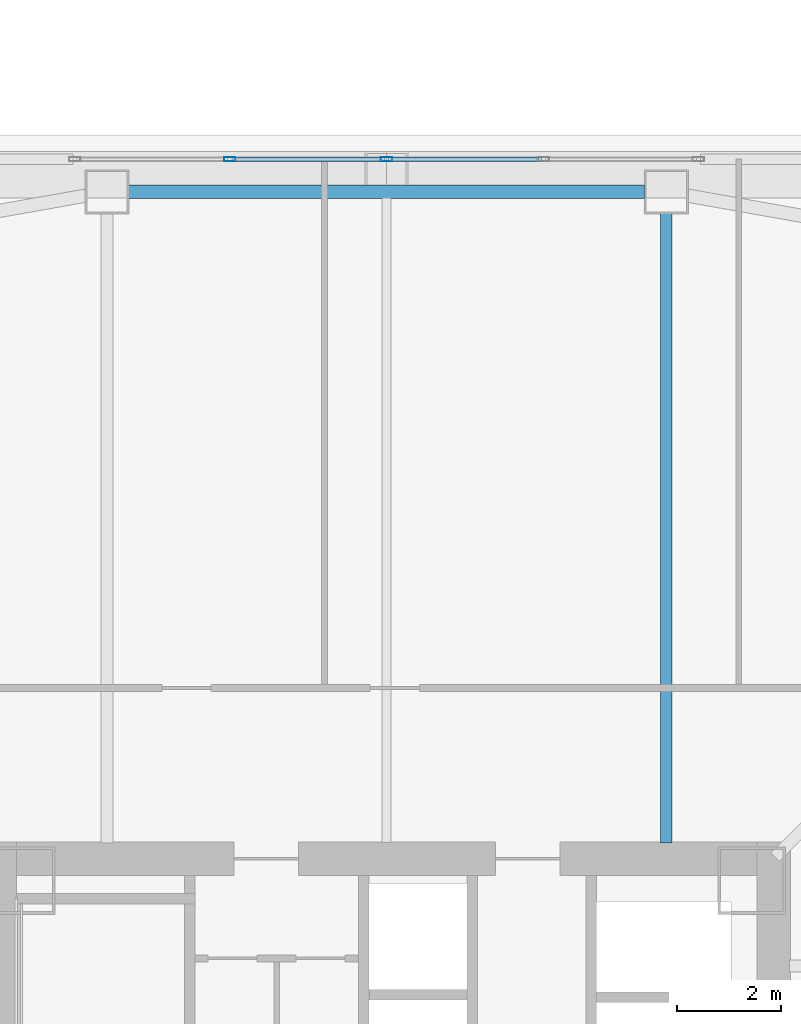
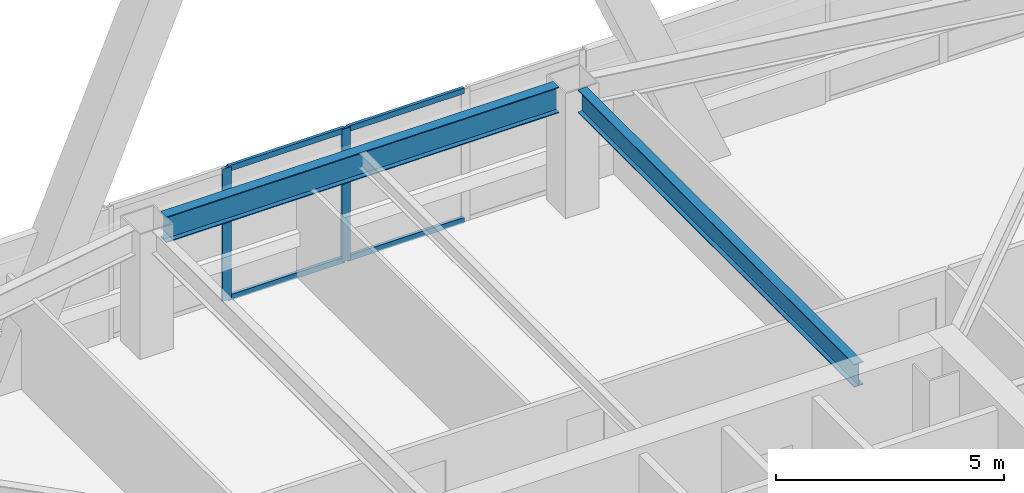
# One storey, part 18 of 54: 6 members, 2 beams, 1 element without a shape of its own.
"""IFC4 building model written with IfcOpenShell, lengths in metres."""

from ifc_helpers import new_model, si_unit, direction, frame, origin, origin_2d, place, context, subcontext, project, spatial, hollow_rectangle, i_section, extrude, material, material_profile, profile_set, type_object, element, aggregate, save


model = new_model("IFC4")

# Units and contexts
model_context = context("Model", 3, precision=1e-05, world=origin(), true_north=direction((0.0, 1.0)))
body_context = subcontext(model_context, "Body", "Model", "MODEL_VIEW")
ifc_project = project(units=[si_unit("LENGTHUNIT", "METRE"), si_unit("AREAUNIT", "SQUARE_METRE"), si_unit("VOLUMEUNIT", "CUBIC_METRE"), si_unit("PLANEANGLEUNIT", "RADIAN"), si_unit("MASSUNIT", "GRAM", prefix="KILO")], contexts=[model_context])

# Site, building, storey
site_placement = place(None, origin())
site = spatial("IfcSite", under=ifc_project, at=site_placement, CompositionType="ELEMENT")
building_placement = place(site_placement, origin())
building = spatial("IfcBuilding", under=site, at=building_placement, Name="Tashvorn Skyway Center", CompositionType="ELEMENT")
storey_placement = place(building_placement, frame((0.0, 0.0, 88.5)))
storey = spatial("IfcBuildingStorey", under=building, at=storey_placement, Name="L23", CompositionType="ELEMENT", Elevation=88.5)

# Beams
ifc_material_1 = material(Name="Steel ASTM A992 Grade 50", Category="steel")
ifc_material_profile_1 = material_profile(ifc_material_1, i_section(OverallWidth=0.22998046875, OverallDepth=0.616943359375, WebThickness=0.01318359375, FlangeThickness=0.022216796875, at=origin_2d()), Name="W24X94")
ifc_profile_set_1 = profile_set([ifc_material_profile_1], Name="Steel ASTM A992 Grade 50")
beam_type_1 = type_object("IfcBeamType", Name="BM-BEAM-W24X94", PredefinedType="BEAM", material=ifc_profile_set_1)
beam_1_placement = place(storey_placement, frame((47.39990234375, 51.929931640625, 3.04150390625), z_axis=(0.0, -1.0, 0.0), x_axis=(1.0, 0.0, 0.0)))
element("IfcBeam", 1, at=beam_1_placement, inside=storey, type_object=beam_type_1, Name="Tower 1 L23 Primary Floor Girder FC-N1", PredefinedType="BEAM", context=body_context, shape_type="SweptSolid", body=[
    extrude(i_section(OverallWidth=0.22998046875, OverallDepth=0.616943359375, WebThickness=0.01318359375, FlangeThickness=0.022216796875, at=origin_2d()), origin(), (0.0, 0.0, 1.0), 12.14990234375),
])
ifc_material_profile_2 = material_profile(ifc_material_1, i_section(OverallWidth=0.256103515625, OverallDepth=0.693115234375, WebThickness=0.014404296875, FlangeThickness=0.023681640625, at=origin_2d()), Name="W27X114")
ifc_profile_set_2 = profile_set([ifc_material_profile_2], Name="Steel ASTM A992 Grade 50")
beam_type_2 = type_object("IfcBeamType", Name="BM-SPANDREL-W27X114", PredefinedType="SPANDREL", material=ifc_profile_set_2)
beam_2_placement = place(storey_placement, frame((46.97998046875, 52.35009765625, 3.00341796875), z_axis=(-1.0, 0.0, 0.0), x_axis=(0.0, -1.0, 0.0)))
element("IfcBeam", 2, at=beam_2_placement, inside=storey, type_object=beam_type_2, Name="Tower 1 L23 Spandrel Beam 08", PredefinedType="SPANDREL", context=body_context, shape_type="SweptSolid", body=[
    extrude(i_section(OverallWidth=0.256103515625, OverallDepth=0.693115234375, WebThickness=0.014404296875, FlangeThickness=0.023681640625, at=origin_2d()), origin(), (0.0, 0.0, 1.0), 9.9599609375),
])

# Curtain wall, members
ifc_material_2 = material(Name="Thermally broken bronze-anodized aluminium 6063-T6", Category="aluminium")
curtain_wall_type = type_object("IfcCurtainWallType", Name="CW-CW-Z2", PredefinedType="NOTDEFINED", material=ifc_material_2)
curtain_wall_placement = place(storey_placement, origin())
curtain_wall = element("IfcCurtainWall", 3, at=curtain_wall_placement, inside=storey, type_object=curtain_wall_type, Name="Tower 1 L23 North Unitised Curtain Wall Glazing Group 2", PredefinedType="NOTDEFINED")
ifc_material_profile_3 = material_profile(ifc_material_2, hollow_rectangle(XDim=0.080078125, YDim=0.219970703125, WallThickness=0.0048828125, at=origin_2d()), Name="ALU-MULL-80x220")
ifc_profile_set_3 = profile_set([ifc_material_profile_3], Name="Thermally broken bronze-anodized aluminium 6063-T6")
member_type_1 = type_object("IfcMemberType", Name="CWM-CW-Z2", PredefinedType="MULLION", material=ifc_profile_set_3)
member_1_placement = place(storey_placement, frame((38.969970703125, 52.97998046875, 0.0), z_axis=(0.0, 0.0, 1.0), x_axis=(0.0, 1.0, 0.0)))
member_1 = element("IfcMember", 4, at=member_1_placement, type_object=member_type_1, Name="CW-Z2 mullion 2", PredefinedType="MULLION", context=body_context, shape_type="SweptSolid", body=[
    extrude(hollow_rectangle(XDim=0.080078125, YDim=0.219970703125, WallThickness=0.0048828125, at=origin_2d()), origin(), (0.0, 0.0, 1.0), 3.550048828125),
])
member_2_placement = place(storey_placement, frame((42.0, 52.97998046875, 0.0), z_axis=(0.0, 0.0, 1.0), x_axis=(0.0, 1.0, 0.0)))
member_2 = element("IfcMember", 5, at=member_2_placement, type_object=member_type_1, Name="CW-Z2 mullion 3", PredefinedType="MULLION", context=body_context, shape_type="SweptSolid", body=[
    extrude(hollow_rectangle(XDim=0.080078125, YDim=0.219970703125, WallThickness=0.0048828125, at=origin_2d()), origin(), (0.0, 0.0, 1.0), 3.550048828125),
])
ifc_material_profile_4 = material_profile(ifc_material_2, hollow_rectangle(XDim=0.080078125, YDim=0.14990234375, WallThickness=0.00439453125, at=origin_2d()), Name="ALU-TRAN-80x150")
ifc_profile_set_4 = profile_set([ifc_material_profile_4], Name="Thermally broken bronze-anodized aluminium 6063-T6")
member_type_2 = type_object("IfcMemberType", Name="CWT-CW-Z2", PredefinedType="USERDEFINED", material=ifc_profile_set_4)
member_3_placement = place(storey_placement, frame((39.010009765625, 52.97998046875, 0.0400390625), z_axis=(1.0, 0.0, 0.0), x_axis=(0.0, 1.0, 0.0)))
member_3 = element("IfcMember", 6, at=member_3_placement, type_object=member_type_2, Name="CW-Z2 transom 2.1", ObjectType="TRANSOM", PredefinedType="USERDEFINED", context=body_context, shape_type="SweptSolid", body=[
    extrude(hollow_rectangle(XDim=0.080078125, YDim=0.14990234375, WallThickness=0.00439453125, at=origin_2d()), origin(), (0.0, 0.0, 1.0), 2.949951171875),
])
member_4_placement = place(storey_placement, frame((39.010009765625, 52.97998046875, 3.510009765625), z_axis=(1.0, 0.0, 0.0), x_axis=(0.0, 1.0, 0.0)))
member_4 = element("IfcMember", 7, at=member_4_placement, type_object=member_type_2, Name="CW-Z2 transom 2.2", ObjectType="TRANSOM", PredefinedType="USERDEFINED", context=body_context, shape_type="SweptSolid", body=[
    extrude(hollow_rectangle(XDim=0.080078125, YDim=0.14990234375, WallThickness=0.00439453125, at=origin_2d()), origin(), (0.0, 0.0, 1.0), 2.949951171875),
])
member_5_placement = place(storey_placement, frame((42.0400390625, 52.97998046875, 0.0400390625), z_axis=(1.0, 0.0, 0.0), x_axis=(0.0, 1.0, 0.0)))
member_5 = element("IfcMember", 8, at=member_5_placement, type_object=member_type_2, Name="CW-Z2 transom 3.1", ObjectType="TRANSOM", PredefinedType="USERDEFINED", context=body_context, shape_type="SweptSolid", body=[
    extrude(hollow_rectangle(XDim=0.080078125, YDim=0.14990234375, WallThickness=0.00439453125, at=origin_2d()), origin(), (0.0, 0.0, 1.0), 2.949951171875),
])
member_6_placement = place(storey_placement, frame((42.0400390625, 52.97998046875, 3.510009765625), z_axis=(1.0, 0.0, 0.0), x_axis=(0.0, 1.0, 0.0)))
member_6 = element("IfcMember", 9, at=member_6_placement, type_object=member_type_2, Name="CW-Z2 transom 3.2", ObjectType="TRANSOM", PredefinedType="USERDEFINED", context=body_context, shape_type="SweptSolid", body=[
    extrude(hollow_rectangle(XDim=0.080078125, YDim=0.14990234375, WallThickness=0.00439453125, at=origin_2d()), origin(), (0.0, 0.0, 1.0), 2.949951171875),
])
aggregate(curtain_wall, [member_1, member_2, member_3, member_4, member_5, member_6])

save(model, "model.ifc")
